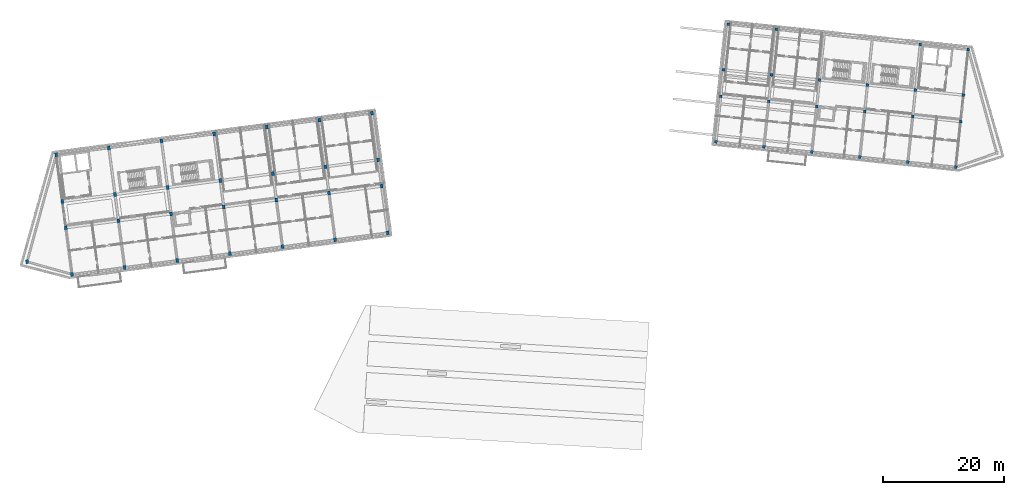
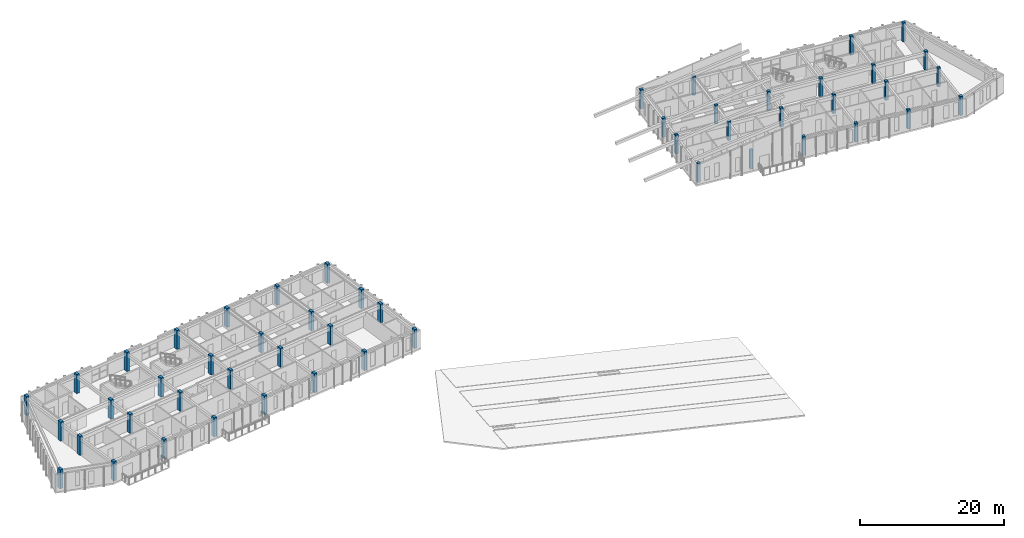
# One storey, part 1 of 34: 51 columns.
"""IFC4 building model written with IfcOpenShell, lengths in metres."""

from ifc_helpers import new_model, si_unit, direction, frame, origin, origin_2d, place, context, subcontext, project, spatial, rectangle, extrude, material, material_profile, profile_set, type_object, element, save


model = new_model("IFC4")

# Units and contexts
model_context = context("Model", 3, precision=1e-05, world=origin(), true_north=direction((0.0, 1.0)))
body_context = subcontext(model_context, "Body", "Model", "MODEL_VIEW")
ifc_project = project(units=[si_unit("LENGTHUNIT", "METRE"), si_unit("AREAUNIT", "SQUARE_METRE"), si_unit("VOLUMEUNIT", "CUBIC_METRE"), si_unit("PLANEANGLEUNIT", "RADIAN"), si_unit("MASSUNIT", "GRAM", prefix="KILO")], contexts=[model_context])

# Site, building, storey
site_placement = place(None, origin())
site = spatial("IfcSite", under=ifc_project, at=site_placement, CompositionType="ELEMENT")
building_placement = place(site_placement, origin())
building = spatial("IfcBuilding", under=site, at=building_placement, Name="Kestramere Prow Commons", CompositionType="ELEMENT")
storey_placement = place(building_placement, frame((0.0, 0.0, 34.39990234375)))
storey = spatial("IfcBuildingStorey", under=building, at=storey_placement, Name="L10", CompositionType="ELEMENT", Elevation=34.39990234375)

# Columns
ifc_material = material(Name="Precast concrete C40/50", Category="concrete")
ifc_material_profile_1 = material_profile(ifc_material, rectangle(XDim=0.449951171875, YDim=0.64990234375, at=origin_2d()), Name="PC-COL 450x650")
ifc_profile_set_1 = profile_set([ifc_material_profile_1], Name="Precast concrete C40/50")
column_type_1 = type_object("IfcColumnType", Name="C-A3 PC-COL 450x650", PredefinedType="COLUMN", material=ifc_profile_set_1)
for number, where, z_axis, x_axis, name in (
    (1, (11.199951171875, 72.0, 0.0), (0.0, 0.0, 1.0), (0.991444861374, 0.13052619222, 0.0), "Block A L10 Column 1-1"),
    (2, (10.181884765625, 79.733154296875, 0.0), (0.0, 0.0, 1.0), (0.991444861374, 0.13052619222, 0.0), "Block A L10 Column 1-2"),
    (3, (9.607666015625, 84.095703125, 0.0), (0.0, 0.0, 1.0), (0.991444861374, 0.13052619222, 0.0), "Block A L10 Column 1-3"),
    (4, (8.58935546875, 91.828857421875, 0.0), (0.0, 0.0, 1.0), (0.991444861374, 0.13052619222, 0.0), "Block A L10 Column 1-4"),
    (5, (19.9248046875, 73.148681640625, 0.0), (0.0, 0.0, 1.0), (0.991444861374, 0.13052619222, 0.0), "Block A L10 Column 2-1"),
    (6, (18.906494140625, 80.8818359375, 0.0), (0.0, 0.0, 1.0), (0.991444861374, 0.13052619222, 0.0), "Block A L10 Column 2-2"),
    (7, (18.332275390625, 85.244140625, 0.0), (0.0, 0.0, 1.0), (0.991444861374, 0.13052619222, 0.0), "Block A L10 Column 2-3"),
    (8, (17.314208984375, 92.9775390625, 0.0), (0.0, 0.0, 1.0), (0.991444861374, 0.13052619222, 0.0), "Block A L10 Column 2-4"),
    (9, (28.6494140625, 74.29736328125, 0.0), (0.0, 0.0, 1.0), (0.991444861374, 0.13052619222, 0.0), "Block A L10 Column 3-1"),
    (10, (27.63134765625, 82.030517578125, 0.0), (0.0, 0.0, 1.0), (0.991444861374, 0.13052619222, 0.0), "Block A L10 Column 3-2"),
    (11, (27.05712890625, 86.392822265625, 0.0), (0.0, 0.0, 1.0), (0.991444861374, 0.13052619222, 0.0), "Block A L10 Column 3-3"),
    (12, (26.038818359375, 94.126220703125, 0.0), (0.0, 0.0, 1.0), (0.991444861374, 0.13052619222, 0.0), "Block A L10 Column 3-4"),
    (13, (37.3740234375, 75.44580078125, 0.0), (0.0, 0.0, 1.0), (0.991444861374, 0.13052619222, 0.0), "Block A L10 Column 4-1"),
    (14, (36.35595703125, 83.17919921875, 0.0), (0.0, 0.0, 1.0), (0.991444861374, 0.13052619222, 0.0), "Block A L10 Column 4-2"),
    (15, (35.78173828125, 87.54150390625, 0.0), (0.0, 0.0, 1.0), (0.991444861374, 0.13052619222, 0.0), "Block A L10 Column 4-3"),
    (16, (34.763671875, 95.27490234375, 0.0), (0.0, 0.0, 1.0), (0.991444861374, 0.13052619222, 0.0), "Block A L10 Column 4-4"),
    (17, (46.098876953125, 76.594482421875, 0.0), (0.0, 0.0, 1.0), (0.991444861374, 0.13052619222, 0.0), "Block A L10 Column 5-1"),
    (18, (45.080810546875, 84.327880859375, 0.0), (0.0, 0.0, 1.0), (0.991444861374, 0.13052619222, 0.0), "Block A L10 Column 5-2"),
    (19, (44.50634765625, 88.690185546875, 0.0), (0.0, 0.0, 1.0), (0.991444861374, 0.13052619222, 0.0), "Block A L10 Column 5-3"),
    (20, (43.48828125, 96.42333984375, 0.0), (0.0, 0.0, 1.0), (0.991444861374, 0.13052619222, 0.0), "Block A L10 Column 5-4"),
    (21, (54.823486328125, 77.7431640625, 0.0), (0.0, 0.0, 1.0), (0.991444861374, 0.13052619222, 0.0), "Block A L10 Column 6-1"),
    (22, (53.805419921875, 85.476318359375, 0.0), (0.0, 0.0, 1.0), (0.991444861374, 0.13052619222, 0.0), "Block A L10 Column 6-2"),
    (23, (53.231201171875, 89.8388671875, 0.0), (0.0, 0.0, 1.0), (0.991444861374, 0.13052619222, 0.0), "Block A L10 Column 6-3"),
    (24, (52.213134765625, 97.572021484375, 0.0), (0.0, 0.0, 1.0), (0.991444861374, 0.13052619222, 0.0), "Block A L10 Column 6-4"),
    (25, (63.54833984375, 78.891845703125, 0.0), (0.0, 0.0, 1.0), (0.991444861374, 0.13052619222, 0.0), "Block A L10 Column 7-1"),
    (26, (62.5302734375, 86.625, 0.0), (0.0, 0.0, 1.0), (0.991444861374, 0.13052619222, 0.0), "Block A L10 Column 7-2"),
    (27, (61.955810546875, 90.9873046875, 0.0), (0.0, 0.0, 1.0), (0.991444861374, 0.13052619222, 0.0), "Block A L10 Column 7-3"),
    (28, (60.937744140625, 98.720703125, 0.0), (0.0, 0.0, 1.0), (0.991444861374, 0.13052619222, 0.0), "Block A L10 Column 7-4"),
    (29, (3.7626953125, 74.09716796875, 0.0), (0.0, 0.0, 1.0), (0.991444861374, 0.13052619222, 0.0), "Block A L10 Prow Apex Column"),
):
    element("IfcColumn", number, at=place(storey_placement, frame(where, z_axis=z_axis, x_axis=x_axis)), inside=storey, type_object=column_type_1, Name=name, PredefinedType="COLUMN", context=body_context, shape_type="SweptSolid", body=[
        extrude(rectangle(XDim=0.449951171875, YDim=0.64990234375, at=origin_2d()), origin(), (0.0, 0.0, 1.0), 3.25),
    ])
ifc_material_profile_2 = material_profile(ifc_material, rectangle(XDim=0.449951171875, YDim=0.449951171875, at=origin_2d()), Name="PC-COL 450x450")
ifc_profile_set_2 = profile_set([ifc_material_profile_2], Name="Precast concrete C40/50")
column_type_2 = type_object("IfcColumnType", Name="C-B3 PC-COL 450x450", PredefinedType="COLUMN", material=ifc_profile_set_2)
for number, where, z_axis, x_axis, name in (
    (30, (117.9560546875, 93.9638671875, 0.0), (0.0, 0.0, 1.0), (0.994521895368, -0.104528463268, 0.0), "Block B L10 Column 2-1"),
    (31, (118.75048828125, 101.522216796875, 0.0), (0.0, 0.0, 1.0), (0.994521895368, -0.104528463268, 0.0), "Block B L10 Column 2-2"),
    (32, (119.21044921875, 105.89794921875, 0.0), (0.0, 0.0, 1.0), (0.994521895368, -0.104528463268, 0.0), "Block B L10 Column 2-3"),
    (33, (120.0048828125, 113.456298828125, 0.0), (0.0, 0.0, 1.0), (0.994521895368, -0.104528463268, 0.0), "Block B L10 Column 2-4"),
    (34, (125.912353515625, 93.12744140625, 0.0), (0.0, 0.0, 1.0), (0.994521895368, -0.104528463268, 0.0), "Block B L10 Column 3-1"),
    (35, (126.706787109375, 100.685791015625, 0.0), (0.0, 0.0, 1.0), (0.994521895368, -0.104528463268, 0.0), "Block B L10 Column 3-2"),
    (36, (127.166748046875, 105.061767578125, 0.0), (0.0, 0.0, 1.0), (0.994521895368, -0.104528463268, 0.0), "Block B L10 Column 3-3"),
    (37, (127.961181640625, 112.6201171875, 0.0), (0.0, 0.0, 1.0), (0.994521895368, -0.104528463268, 0.0), "Block B L10 Column 3-4"),
    (38, (133.868408203125, 92.291259765625, 0.0), (0.0, 0.0, 1.0), (0.994521895368, -0.104528463268, 0.0), "Block B L10 Column 4-1"),
    (39, (134.662841796875, 99.849609375, 0.0), (0.0, 0.0, 1.0), (0.994521895368, -0.104528463268, 0.0), "Block B L10 Column 4-2"),
    (40, (135.122802734375, 104.2255859375, 0.0), (0.0, 0.0, 1.0), (0.994521895368, -0.104528463268, 0.0), "Block B L10 Column 4-3"),
    (41, (141.82470703125, 91.455078125, 0.0), (0.0, 0.0, 1.0), (0.994521895368, -0.104528463268, 0.0), "Block B L10 Column 5-1"),
    (42, (142.619140625, 99.013427734375, 0.0), (0.0, 0.0, 1.0), (0.994521895368, -0.104528463268, 0.0), "Block B L10 Column 5-2"),
    (43, (143.0791015625, 103.389404296875, 0.0), (0.0, 0.0, 1.0), (0.994521895368, -0.104528463268, 0.0), "Block B L10 Column 5-3"),
    (44, (149.78076171875, 90.618896484375, 0.0), (0.0, 0.0, 1.0), (0.994521895368, -0.104528463268, 0.0), "Block B L10 Column 6-1"),
    (45, (150.5751953125, 98.17724609375, 0.0), (0.0, 0.0, 1.0), (0.994521895368, -0.104528463268, 0.0), "Block B L10 Column 6-2"),
    (46, (151.03515625, 102.55322265625, 0.0), (0.0, 0.0, 1.0), (0.994521895368, -0.104528463268, 0.0), "Block B L10 Column 6-3"),
    (47, (151.82958984375, 110.111572265625, 0.0), (0.0, 0.0, 1.0), (0.994521895368, -0.104528463268, 0.0), "Block B L10 Column 6-4"),
    (48, (157.737060546875, 89.78271484375, 0.0), (0.0, 0.0, 1.0), (0.994521895368, -0.104528463268, 0.0), "Block B L10 Column 7-1"),
    (49, (158.531494140625, 97.341064453125, 0.0), (0.0, 0.0, 1.0), (0.994521895368, -0.104528463268, 0.0), "Block B L10 Column 7-2"),
    (50, (158.991455078125, 101.716796875, 0.0), (0.0, 0.0, 1.0), (0.994521895368, -0.104528463268, 0.0), "Block B L10 Column 7-3"),
    (51, (159.785888671875, 109.275146484375, 0.0), (0.0, 0.0, 1.0), (0.994521895368, -0.104528463268, 0.0), "Block B L10 Column 7-4"),
):
    element("IfcColumn", number, at=place(storey_placement, frame(where, z_axis=z_axis, x_axis=x_axis)), inside=storey, type_object=column_type_2, Name=name, PredefinedType="COLUMN", context=body_context, shape_type="SweptSolid", body=[
        extrude(rectangle(XDim=0.449951171875, YDim=0.449951171875, at=origin_2d()), origin(), (0.0, 0.0, 1.0), 3.25),
    ])

save(model, "model.ifc")
